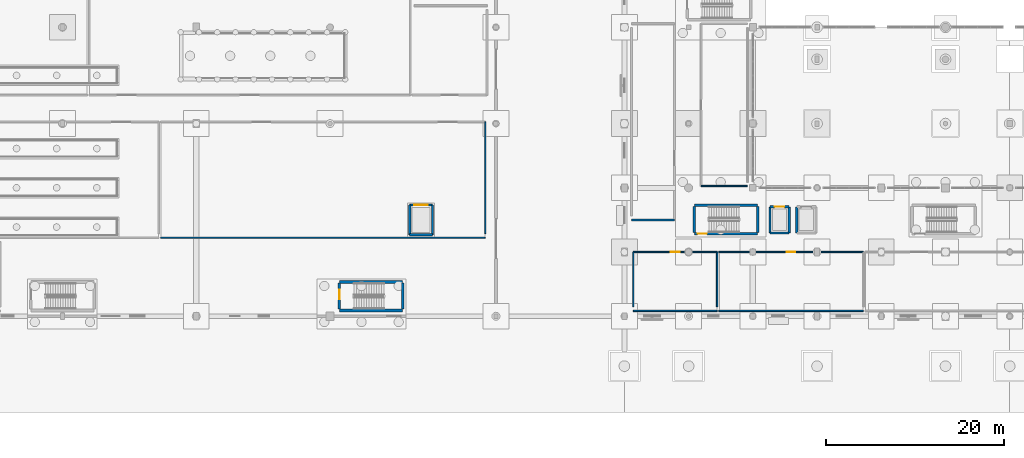
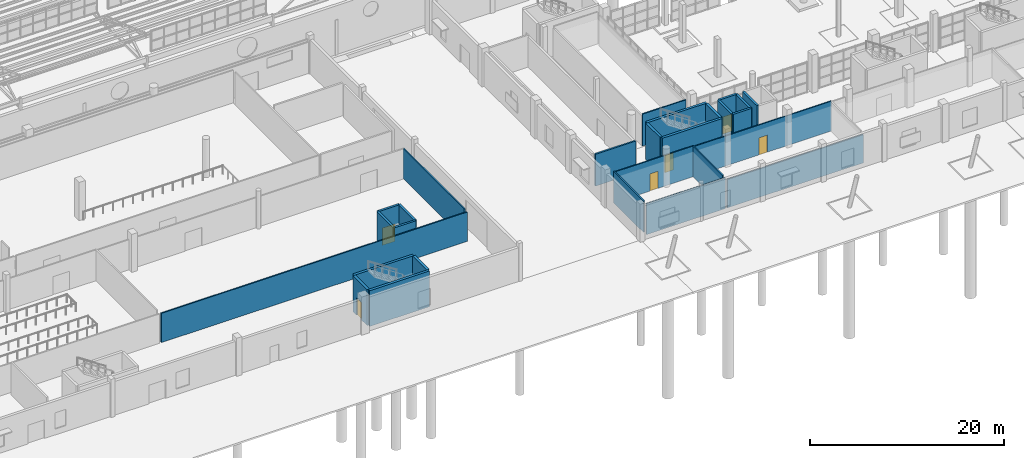
# One storey, part 251 of 285: 27 walls, 6 doors, 6 openings.
"""IFC4 building model written with IfcOpenShell, lengths in metres."""

from ifc_helpers import new_model, si_unit, direction, frame, frame_2d, origin, place, context, subcontext, project, spatial, rectangle, extrude, material, layer, layer_set, type_object, element, fill, save


model = new_model("IFC4")

# Units and contexts
model_context = context("Model", 3, precision=1e-05, world=origin(), true_north=direction((0.0, 1.0)))
body_context = subcontext(model_context, "Body", "Model", "MODEL_VIEW")
ifc_project = project(units=[si_unit("LENGTHUNIT", "METRE"), si_unit("AREAUNIT", "SQUARE_METRE"), si_unit("VOLUMEUNIT", "CUBIC_METRE"), si_unit("PLANEANGLEUNIT", "RADIAN"), si_unit("MASSUNIT", "GRAM", prefix="KILO")], contexts=[model_context])

# Site, building, storey
site_placement = place(None, origin())
site = spatial("IfcSite", under=ifc_project, at=site_placement, CompositionType="ELEMENT")
building_placement = place(site_placement, origin())
building = spatial("IfcBuilding", under=site, at=building_placement, Name="Solanera Park Tramway Depot", CompositionType="ELEMENT")
storey_placement = place(building_placement, origin())
storey = spatial("IfcBuildingStorey", under=building, at=storey_placement, Name="L00", CompositionType="ELEMENT", Elevation=0.0)

# Wall, opening, door
ifc_material_1 = material(Name="Concrete N32 (C32/40)", Category="concrete")
ifc_layer_1 = layer(ifc_material_1, 0.125)
ifc_layer_set_1 = layer_set([ifc_layer_1], Name="Concrete N32 (C32/40)")
wall_type_1 = type_object("IfcWallType", Name="Acoustic Partition 125", PredefinedType="PARTITIONING", material=ifc_layer_set_1)
wall_1_placement = place(storey_placement, frame((109.0, 18.0, 0.0), z_axis=(0.0, 0.0, 1.0), x_axis=(1.0, 0.0, 0.0)))
wall_1 = element("IfcWall", 1, at=wall_1_placement, inside=storey, type_object=wall_type_1, Name="Fire Control and Emergency Command Room Corridor Wall", PredefinedType="PARTITIONING", context=body_context, shape_type="SweptSolid", body=[
    extrude(rectangle(XDim=9.39990234375, YDim=0.125, at=frame_2d((4.699951171875, 0.0))), origin(), (0.0, 0.0, 1.0), 3.85693359375),
])
opening_1_placement = place(wall_1_placement, frame((4.215087890625, 0.0, 0.0)))
opening_1 = element("IfcOpeningElement", 2, at=opening_1_placement, cuts=wall_1, Name="Opening ID-O1R", PredefinedType="OPENING", context=body_context, shape_type="SweptSolid", body=[
    extrude(rectangle(XDim=0.969970703125, YDim=2.14990234375, at=frame_2d((0.48486328125, 1.074951171875))), frame((0.0, 0.072509765625, 0.0), z_axis=(0.0, -1.0, 0.0), x_axis=(1.0, 0.0, 0.0)), (0.0, 0.0, 1.0), 0.14501953125),
])
ifc_material_2 = material(Name="Fire-rated steel or solid-core hardwood door leaf", Category="steel")
door_type_1 = type_object("IfcDoorType", Name="Office Single Door R 970x2150", OperationType="SINGLE_SWING_RIGHT", PredefinedType="DOOR", material=ifc_material_2)
door_1_placement = place(opening_1_placement, origin())
door_1 = element("IfcDoor", 3, at=door_1_placement, inside=storey, type_object=door_type_1, Name="Fire Control and Emergency Command Room Door", OperationType="SINGLE_SWING_RIGHT", OverallHeight=2.14990234375, OverallWidth=0.969970703125, PredefinedType="DOOR", context=body_context, shape_type="SweptSolid", body=[
    extrude(rectangle(XDim=0.969970703125, YDim=2.14990234375, at=frame_2d((0.48486328125, 1.074951171875))), frame((0.0, 0.02490234375, 0.0), z_axis=(0.0, -1.0, 0.0), x_axis=(1.0, 0.0, 0.0)), (0.0, 0.0, 1.0), 0.050048828125),
])
fill(opening_1, door_1)

wall_2_placement = place(storey_placement, frame((118.60009765625, 18.0, 0.0), z_axis=(0.0, 0.0, 1.0), x_axis=(1.0, 0.0, 0.0)))
wall_2 = element("IfcWall", 4, at=wall_2_placement, inside=storey, type_object=wall_type_1, Name="Depot Sign-On and Dispatch Lobby Corridor Wall", PredefinedType="PARTITIONING", context=body_context, shape_type="SweptSolid", body=[
    extrude(rectangle(XDim=16.199951171875, YDim=0.125, at=frame_2d((8.10009765625, 0.0))), origin(), (0.0, 0.0, 1.0), 3.757080078125),
])
opening_2_placement = place(wall_2_placement, frame((7.6201171875, 0.0, 0.0)))
opening_2 = element("IfcOpeningElement", 5, at=opening_2_placement, cuts=wall_2, Name="Opening ID-O1L", PredefinedType="OPENING", context=body_context, shape_type="SweptSolid", body=[
    extrude(rectangle(XDim=0.9599609375, YDim=2.14990234375, at=frame_2d((0.47998046875, 1.074951171875))), frame((0.0, 0.072509765625, 0.0), z_axis=(0.0, -1.0, 0.0), x_axis=(1.0, 0.0, 0.0)), (0.0, 0.0, 1.0), 0.14501953125),
])
ifc_material_3 = material(Name="Fire-rated steel or solid-core hardwood door leaf", Category="steel")
door_type_2 = type_object("IfcDoorType", Name="Office Single Door L 960x2150", OperationType="SINGLE_SWING_LEFT", PredefinedType="DOOR", material=ifc_material_3)
door_2_placement = place(opening_2_placement, origin())
door_2 = element("IfcDoor", 6, at=door_2_placement, inside=storey, type_object=door_type_2, Name="Depot Sign-On and Dispatch Lobby Door", OperationType="SINGLE_SWING_LEFT", OverallHeight=2.14990234375, OverallWidth=0.9599609375, PredefinedType="DOOR", context=body_context, shape_type="SweptSolid", body=[
    extrude(rectangle(XDim=0.9599609375, YDim=2.14990234375, at=frame_2d((0.47998046875, 1.074951171875))), frame((0.0, 0.02490234375, 0.0), z_axis=(0.0, -1.0, 0.0), x_axis=(1.0, 0.0, 0.0)), (0.0, 0.0, 1.0), 0.050048828125),
])
fill(opening_2, door_2)

# Walls
ifc_material_4 = material(Name="Concrete N32 (C32/40)", Category="concrete")
ifc_layer_2 = layer(ifc_material_4, 0.14990234375)
ifc_layer_set_2 = layer_set([ifc_layer_2], Name="Concrete N32 (C32/40)")
wall_type_2 = type_object("IfcWallType", Name="Acoustic Partition 150", PredefinedType="PARTITIONING", material=ifc_layer_set_2)
wall_3_placement = place(storey_placement, frame((92.39990234375, 19.60009765625, 0.0), z_axis=(0.0, 0.0, 1.0), x_axis=(-1.0, 0.0, 0.0)))
element("IfcWall", 7, at=wall_3_placement, inside=storey, type_object=wall_type_2, Name="Running Repair Inspection Bay Hall Dividing Wall", PredefinedType="PARTITIONING", context=body_context, shape_type="SweptSolid", body=[
    extrude(rectangle(XDim=36.39990234375, YDim=0.14990234375, at=frame_2d((18.199951171875, 0.0))), origin(), (0.0, 0.0, 1.0), 3.681884765625),
])
wall_4_placement = place(storey_placement, frame((92.39990234375, 20.050048828125, 0.0), z_axis=(0.0, 0.0, 1.0), x_axis=(0.0, 1.0, 0.0)))
element("IfcWall", 8, at=wall_4_placement, inside=storey, type_object=wall_type_2, Name="Running Repair Inspection Bay Hall Dividing Wall", PredefinedType="PARTITIONING", context=body_context, shape_type="SweptSolid", body=[
    extrude(rectangle(XDim=12.550048828125, YDim=0.14990234375, at=frame_2d((6.27490234375, 0.0))), origin(), (0.0, 0.0, 1.0), 3.781982421875),
])
wall_5_placement = place(storey_placement, frame((118.39990234375, 11.39990234375, 0.0), z_axis=(0.0, 0.0, 1.0), x_axis=(-1.0, 0.0, 0.0)))
element("IfcWall", 9, at=wall_5_placement, inside=storey, type_object=wall_type_2, Name="Fire Control and Emergency Command Room Dividing Wall", PredefinedType="PARTITIONING", context=body_context, shape_type="SweptSolid", body=[
    extrude(rectangle(XDim=9.39990234375, YDim=0.14990234375, at=frame_2d((4.699951171875, 0.0))), origin(), (0.0, 0.0, 1.0), 3.85693359375),
])
wall_6_placement = place(storey_placement, frame((118.39990234375, 11.85009765625, 0.0), z_axis=(0.0, 0.0, 1.0), x_axis=(0.0, 1.0, 0.0)))
element("IfcWall", 10, at=wall_6_placement, inside=storey, type_object=wall_type_2, Name="Fire Control and Emergency Command Room Dividing Wall", PredefinedType="PARTITIONING", context=body_context, shape_type="SweptSolid", body=[
    extrude(rectangle(XDim=6.14990234375, YDim=0.14990234375, at=frame_2d((3.074951171875, 0.0))), origin(), (0.0, 0.0, 1.0), 3.85693359375),
])
wall_7_placement = place(storey_placement, frame((109.0, 18.0, 0.0), z_axis=(0.0, 0.0, 1.0), x_axis=(0.0, -1.0, 0.0)))
element("IfcWall", 11, at=wall_7_placement, inside=storey, type_object=wall_type_2, Name="Fire Control and Emergency Command Room Dividing Wall", PredefinedType="PARTITIONING", context=body_context, shape_type="SweptSolid", body=[
    extrude(rectangle(XDim=6.14990234375, YDim=0.14990234375, at=frame_2d((3.074951171875, 0.0))), origin(), (0.0, 0.0, 1.0), 3.95703125),
])
wall_8_placement = place(storey_placement, frame((134.800048828125, 11.39990234375, 0.0), z_axis=(0.0, 0.0, 1.0), x_axis=(-1.0, 0.0, 0.0)))
element("IfcWall", 12, at=wall_8_placement, inside=storey, type_object=wall_type_2, Name="Depot Sign-On and Dispatch Lobby Dividing Wall", PredefinedType="PARTITIONING", context=body_context, shape_type="SweptSolid", body=[
    extrude(rectangle(XDim=16.199951171875, YDim=0.14990234375, at=frame_2d((8.10009765625, 0.0))), origin(), (0.0, 0.0, 1.0), 3.556884765625),
])
wall_9_placement = place(storey_placement, frame((121.800048828125, 25.39990234375, 0.0), z_axis=(0.0, 0.0, 1.0), x_axis=(-1.0, 0.0, 0.0)))
element("IfcWall", 13, at=wall_9_placement, inside=storey, type_object=wall_type_2, Name="Crew Bicycle Hub and Changing Lockers Dividing Wall", PredefinedType="PARTITIONING", context=body_context, shape_type="SweptSolid", body=[
    extrude(rectangle(XDim=5.199951171875, YDim=0.14990234375, at=frame_2d((2.60009765625, 0.0))), origin(), (0.0, 0.0, 1.0), 4.0),
])

# Wall, opening, door
ifc_material_5 = material(Name="Concrete N40 (C40/50)", Category="concrete")
ifc_layer_3 = layer(ifc_material_5, 0.300048828125)
ifc_layer_set_3 = layer_set([ifc_layer_3], Name="Concrete N40 (C40/50)")
wall_type_3 = type_object("IfcWallType", Name="Core Shear Wall 300", PredefinedType="SHEAR", material=ifc_layer_set_3)
wall_10_placement = place(storey_placement, frame((115.85009765625, 20.050048828125, 0.0), z_axis=(0.0, 0.0, 1.0), x_axis=(1.0, 0.0, 0.0)))
wall_10 = element("IfcWall", 14, at=wall_10_placement, inside=storey, type_object=wall_type_3, Name="ST-01 L00 Shear Core Wall S", PredefinedType="SHEAR", context=body_context, shape_type="SweptSolid", body=[
    extrude(rectangle(XDim=7.099853515625, YDim=0.300048828125, at=frame_2d((3.5498046875, 0.0))), origin(), (0.0, 0.0, 1.0), 4.52490234375),
])
opening_3_placement = place(wall_10_placement, frame((0.35009765625, 0.0, 0.0)))
opening_3 = element("IfcOpeningElement", 15, at=opening_3_placement, cuts=wall_10, Name="Opening FD-S1L", PredefinedType="OPENING", context=body_context, shape_type="SweptSolid", body=[
    extrude(rectangle(XDim=1.050048828125, YDim=2.14990234375, at=frame_2d((0.52490234375, 1.074951171875))), frame((0.0, 0.16015625, 0.0), z_axis=(0.0, -1.0, 0.0), x_axis=(1.0, 0.0, 0.0)), (0.0, 0.0, 1.0), 0.320068359375),
])
ifc_material_6 = material(Name="Fire-rated steel or solid-core hardwood door leaf", Category="steel")
door_type_3 = type_object("IfcDoorType", Name="Stair Fire Door L 1050x2150", OperationType="SINGLE_SWING_LEFT", PredefinedType="DOOR", material=ifc_material_6)
door_3_placement = place(opening_3_placement, frame((1.050048828125, 0.0, 0.0), z_axis=(0.0, 0.0, 1.0), x_axis=(-1.0, 0.0, 0.0)))
door_3 = element("IfcDoor", 16, at=door_3_placement, inside=storey, type_object=door_type_3, Name="ST-01 L00 Stair Fire Door", OperationType="SINGLE_SWING_LEFT", OverallHeight=2.14990234375, OverallWidth=1.050048828125, PredefinedType="DOOR", context=body_context, shape_type="SweptSolid", body=[
    extrude(rectangle(XDim=1.050048828125, YDim=2.14990234375, at=frame_2d((0.52490234375, 1.074951171875))), frame((0.0, 0.02490234375, 0.0), z_axis=(0.0, -1.0, 0.0), x_axis=(1.0, 0.0, 0.0)), (0.0, 0.0, 1.0), 0.050048828125),
])
fill(opening_3, door_3)

# Walls
wall_11_placement = place(storey_placement, frame((122.949951171875, 23.25, 0.0), z_axis=(0.0, 0.0, 1.0), x_axis=(-1.0, 0.0, 0.0)))
element("IfcWall", 17, at=wall_11_placement, inside=storey, type_object=wall_type_3, Name="ST-01 L00 Shear Core Wall N", PredefinedType="SHEAR", context=body_context, shape_type="SweptSolid", body=[
    extrude(rectangle(XDim=7.099853515625, YDim=0.300048828125, at=frame_2d((3.5498046875, 0.0))), origin(), (0.0, 0.0, 1.0), 4.52490234375),
])
for number, where, z_axis, x_axis, name in (
    (18, (122.949951171875, 20.199951171875, 0.0), (0.0, 0.0, 1.0), (0.0, 1.0, 0.0), "ST-01 L00 Shear Core Wall E"),
    (19, (115.85009765625, 23.10009765625, 0.0), (0.0, 0.0, 1.0), (0.0, -1.0, 0.0), "ST-01 L00 Shear Core Wall W"),
):
    element("IfcWall", number, at=place(storey_placement, frame(where, z_axis=z_axis, x_axis=x_axis)), inside=storey, type_object=wall_type_3, Name=name, PredefinedType="SHEAR", context=body_context, shape_type="SweptSolid", body=[
        extrude(rectangle(XDim=2.900146484375, YDim=0.300048828125, at=frame_2d((1.4501953125, 0.0))), origin(), (0.0, 0.0, 1.0), 4.52490234375),
    ])
for number, where, z_axis, x_axis, name in (
    (20, (76.050048828125, 11.449951171875, 0.0), (0.0, 0.0, 1.0), (1.0, 0.0, 0.0), "ST-09 L00 Shear Core Wall S"),
    (21, (83.14990234375, 14.64990234375, 0.0), (0.0, 0.0, 1.0), (-1.0, 0.0, 0.0), "ST-09 L00 Shear Core Wall N"),
):
    element("IfcWall", number, at=place(storey_placement, frame(where, z_axis=z_axis, x_axis=x_axis)), inside=storey, type_object=wall_type_3, Name=name, PredefinedType="SHEAR", context=body_context, shape_type="SweptSolid", body=[
        extrude(rectangle(XDim=7.099853515625, YDim=0.300048828125, at=frame_2d((3.5498046875, 0.0))), origin(), (0.0, 0.0, 1.0), 4.5),
    ])
wall_12_placement = place(storey_placement, frame((83.14990234375, 11.60009765625, 0.0), z_axis=(0.0, 0.0, 1.0), x_axis=(0.0, 1.0, 0.0)))
element("IfcWall", 22, at=wall_12_placement, inside=storey, type_object=wall_type_3, Name="ST-09 L00 Shear Core Wall E", PredefinedType="SHEAR", context=body_context, shape_type="SweptSolid", body=[
    extrude(rectangle(XDim=2.89990234375, YDim=0.300048828125, at=frame_2d((1.449951171875, 0.0))), origin(), (0.0, 0.0, 1.0), 4.5),
])

# Wall, opening, door
wall_13_placement = place(storey_placement, frame((76.050048828125, 14.5, 0.0), z_axis=(0.0, 0.0, 1.0), x_axis=(0.0, -1.0, 0.0)))
wall_13 = element("IfcWall", 23, at=wall_13_placement, inside=storey, type_object=wall_type_3, Name="ST-09 L00 Shear Core Wall W", PredefinedType="SHEAR", context=body_context, shape_type="SweptSolid", body=[
    extrude(rectangle(XDim=2.89990234375, YDim=0.300048828125, at=frame_2d((1.449951171875, 0.0))), origin(), (0.0, 0.0, 1.0), 4.5),
])
opening_4_placement = place(wall_13_placement, frame((0.75, 0.0, 0.0)))
opening_4 = element("IfcOpeningElement", 24, at=opening_4_placement, cuts=wall_13, Name="Opening FD-S1L", PredefinedType="OPENING", context=body_context, shape_type="SweptSolid", body=[
    extrude(rectangle(XDim=1.050048828125, YDim=2.14990234375, at=frame_2d((0.52490234375, 1.074951171875))), frame((0.0, 0.16015625, 0.0), z_axis=(0.0, -1.0, 0.0), x_axis=(1.0, 0.0, 0.0)), (0.0, 0.0, 1.0), 0.320068359375),
])
door_4_placement = place(opening_4_placement, frame((1.050048828125, 0.0, 0.0), z_axis=(0.0, 0.0, 1.0), x_axis=(-1.0, 0.0, 0.0)))
door_4 = element("IfcDoor", 25, at=door_4_placement, inside=storey, type_object=door_type_3, Name="ST-09 L00 Stair Fire Door", OperationType="SINGLE_SWING_LEFT", OverallHeight=2.14990234375, OverallWidth=1.050048828125, PredefinedType="DOOR", context=body_context, shape_type="SweptSolid", body=[
    extrude(rectangle(XDim=1.050048828125, YDim=2.14990234375, at=frame_2d((0.52490234375, 1.074951171875))), frame((0.0, 0.02490234375, 0.0), z_axis=(0.0, -1.0, 0.0), x_axis=(1.0, 0.0, 0.0)), (0.0, 0.0, 1.0), 0.050048828125),
])
fill(opening_4, door_4)

# Walls
ifc_material_7 = material(Name="Concrete N32 (C32/40)", Category="concrete")
ifc_layer_4 = layer(ifc_material_7, 0.199951171875)
ifc_layer_set_4 = layer_set([ifc_layer_4], Name="Concrete N32 (C32/40)")
wall_type_4 = type_object("IfcWallType", Name="Fire Compartment Wall 200", PredefinedType="SOLIDWALL", material=ifc_layer_set_4)
wall_14_placement = place(storey_placement, frame((113.60009765625, 21.60009765625, 0.0), z_axis=(0.0, 0.0, 1.0), x_axis=(-1.0, 0.0, 0.0)))
element("IfcWall", 26, at=wall_14_placement, inside=storey, type_object=wall_type_4, Name="Way and Overhead Line Maintenance Store Dividing Wall", PredefinedType="SOLIDWALL", context=body_context, shape_type="SweptSolid", body=[
    extrude(rectangle(XDim=4.800048828125, YDim=0.199951171875, at=frame_2d((2.39990234375, 0.0))), origin(), (0.0, 0.0, 1.0), 4.0),
])
ifc_material_8 = material(Name="Concrete N40 (C40/50)", Category="concrete")
ifc_layer_5 = layer(ifc_material_8, 0.25)
ifc_layer_set_5 = layer_set([ifc_layer_5], Name="Concrete N40 (C40/50)")
wall_type_5 = type_object("IfcWallType", Name="Lift Shaft Shear Wall 250", PredefinedType="SHEAR", material=ifc_layer_set_5)
wall_15_placement = place(storey_placement, frame((124.324951171875, 20.125, 0.0), z_axis=(0.0, 0.0, 1.0), x_axis=(1.0, 0.0, 0.0)))
element("IfcWall", 27, at=wall_15_placement, inside=storey, type_object=wall_type_5, Name="LF-01 L00 Lift Shaft Wall S", PredefinedType="SHEAR", context=body_context, shape_type="SweptSolid", body=[
    extrude(rectangle(XDim=2.150146484375, YDim=0.25, at=frame_2d((1.0751953125, 0.0))), origin(), (0.0, 0.0, 1.0), 4.5),
])

# Wall, opening, door
wall_16_placement = place(storey_placement, frame((126.47509765625, 23.074951171875, 0.0), z_axis=(0.0, 0.0, 1.0), x_axis=(-1.0, 0.0, 0.0)))
wall_16 = element("IfcWall", 28, at=wall_16_placement, inside=storey, type_object=wall_type_5, Name="LF-01 L00 Lift Shaft Wall N", PredefinedType="SHEAR", context=body_context, shape_type="SweptSolid", body=[
    extrude(rectangle(XDim=2.150146484375, YDim=0.25, at=frame_2d((1.0751953125, 0.0))), origin(), (0.0, 0.0, 1.0), 4.5),
])
opening_5_placement = place(wall_16_placement, frame((0.52490234375, 0.0, 0.0)))
opening_5 = element("IfcOpeningElement", 29, at=opening_5_placement, cuts=wall_16, Name="Opening LD-01", PredefinedType="OPENING", context=body_context, shape_type="SweptSolid", body=[
    extrude(rectangle(XDim=1.10009765625, YDim=2.14990234375, at=frame_2d((0.550048828125, 1.074951171875))), frame((0.0, 0.135009765625, 0.0), z_axis=(0.0, -1.0, 0.0), x_axis=(1.0, 0.0, 0.0)), (0.0, 0.0, 1.0), 0.27001953125),
])
ifc_material_9 = material(Name="Fire-rated steel or solid-core hardwood door leaf", Category="steel")
door_type_4 = type_object("IfcDoorType", Name="Lift Landing Sliding Door 1100x2150", OperationType="SLIDING_TO_LEFT", PredefinedType="DOOR", material=ifc_material_9)
door_5_placement = place(opening_5_placement, origin())
door_5 = element("IfcDoor", 30, at=door_5_placement, inside=storey, type_object=door_type_4, Name="LF-01 L00 Lift Landing Sliding Door", OperationType="SLIDING_TO_LEFT", OverallHeight=2.14990234375, OverallWidth=1.10009765625, PredefinedType="DOOR", context=body_context, shape_type="SweptSolid", body=[
    extrude(rectangle(XDim=1.10009765625, YDim=2.14990234375, at=frame_2d((0.550048828125, 1.074951171875))), frame((0.0, 0.02490234375, 0.0), z_axis=(0.0, -1.0, 0.0), x_axis=(1.0, 0.0, 0.0)), (0.0, 0.0, 1.0), 0.050048828125),
])
fill(opening_5, door_5)

# Walls
for number, where, z_axis, x_axis, name in (
    (31, (124.324951171875, 23.074951171875, 0.0), (0.0, 0.0, 1.0), (0.0, -1.0, 0.0), "LF-01 L00 Lift Shaft Wall W"),
    (32, (126.47509765625, 20.125, 0.0), (0.0, 0.0, 1.0), (0.0, 1.0, 0.0), "LF-01 L00 Lift Shaft Wall E"),
    (33, (127.324951171875, 23.074951171875, 0.0), (0.0, 0.0, 1.0), (0.0, -1.0, 0.0), "LF-02 L00 Lift Shaft Wall W"),
):
    element("IfcWall", number, at=place(storey_placement, frame(where, z_axis=z_axis, x_axis=x_axis)), inside=storey, type_object=wall_type_5, Name=name, PredefinedType="SHEAR", context=body_context, shape_type="SweptSolid", body=[
        extrude(rectangle(XDim=2.949951171875, YDim=0.25, at=frame_2d((1.47509765625, 0.0))), origin(), (0.0, 0.0, 1.0), 4.5),
    ])
wall_17_placement = place(storey_placement, frame((83.925048828125, 19.925048828125, 0.0), z_axis=(0.0, 0.0, 1.0), x_axis=(1.0, 0.0, 0.0)))
element("IfcWall", 34, at=wall_17_placement, inside=storey, type_object=wall_type_5, Name="LF-05 L00 Lift Shaft Wall S", PredefinedType="SHEAR", context=body_context, shape_type="SweptSolid", body=[
    extrude(rectangle(XDim=2.550048828125, YDim=0.25, at=frame_2d((1.27490234375, 0.0))), origin(), (0.0, 0.0, 1.0), 4.5),
])

# Wall, opening, door
wall_18_placement = place(storey_placement, frame((86.47509765625, 23.27490234375, 0.0), z_axis=(0.0, 0.0, 1.0), x_axis=(-1.0, 0.0, 0.0)))
wall_18 = element("IfcWall", 35, at=wall_18_placement, inside=storey, type_object=wall_type_5, Name="LF-05 L00 Lift Shaft Wall N", PredefinedType="SHEAR", context=body_context, shape_type="SweptSolid", body=[
    extrude(rectangle(XDim=2.550048828125, YDim=0.25, at=frame_2d((1.27490234375, 0.0))), origin(), (0.0, 0.0, 1.0), 4.5),
])
opening_6_placement = place(wall_18_placement, frame((0.52490234375, 0.0, 0.0)))
opening_6 = element("IfcOpeningElement", 36, at=opening_6_placement, cuts=wall_18, Name="Opening LD-02", PredefinedType="OPENING", context=body_context, shape_type="SweptSolid", body=[
    extrude(rectangle(XDim=1.5, YDim=2.199951171875, at=frame_2d((0.75, 1.10009765625))), frame((0.0, 0.135009765625, 0.0), z_axis=(0.0, -1.0, 0.0), x_axis=(1.0, 0.0, 0.0)), (0.0, 0.0, 1.0), 0.27001953125),
])
ifc_material_10 = material(Name="Fire-rated steel or solid-core hardwood door leaf", Category="steel")
door_type_5 = type_object("IfcDoorType", Name="Goods Lift Sliding Door 1500x2200", OperationType="SLIDING_TO_RIGHT", PredefinedType="DOOR", material=ifc_material_10)
door_6_placement = place(opening_6_placement, origin())
door_6 = element("IfcDoor", 37, at=door_6_placement, inside=storey, type_object=door_type_5, Name="LF-05 L00 Lift Landing Sliding Door", OperationType="SLIDING_TO_RIGHT", OverallHeight=2.199951171875, OverallWidth=1.5, PredefinedType="DOOR", context=body_context, shape_type="SweptSolid", body=[
    extrude(rectangle(XDim=1.5, YDim=2.199951171875, at=frame_2d((0.75, 1.10009765625))), frame((0.0, 0.02490234375, 0.0), z_axis=(0.0, -1.0, 0.0), x_axis=(1.0, 0.0, 0.0)), (0.0, 0.0, 1.0), 0.050048828125),
])
fill(opening_6, door_6)

# Walls
for number, where, z_axis, x_axis, name in (
    (38, (83.925048828125, 23.27490234375, 0.0), (0.0, 0.0, 1.0), (0.0, -1.0, 0.0), "LF-05 L00 Lift Shaft Wall W"),
    (39, (86.47509765625, 19.925048828125, 0.0), (0.0, 0.0, 1.0), (0.0, 1.0, 0.0), "LF-05 L00 Lift Shaft Wall E"),
):
    element("IfcWall", number, at=place(storey_placement, frame(where, z_axis=z_axis, x_axis=x_axis)), inside=storey, type_object=wall_type_5, Name=name, PredefinedType="SHEAR", context=body_context, shape_type="SweptSolid", body=[
        extrude(rectangle(XDim=3.349853515625, YDim=0.25, at=frame_2d((1.6748046875, 0.0))), origin(), (0.0, 0.0, 1.0), 4.5),
    ])

save(model, "model.ifc")
